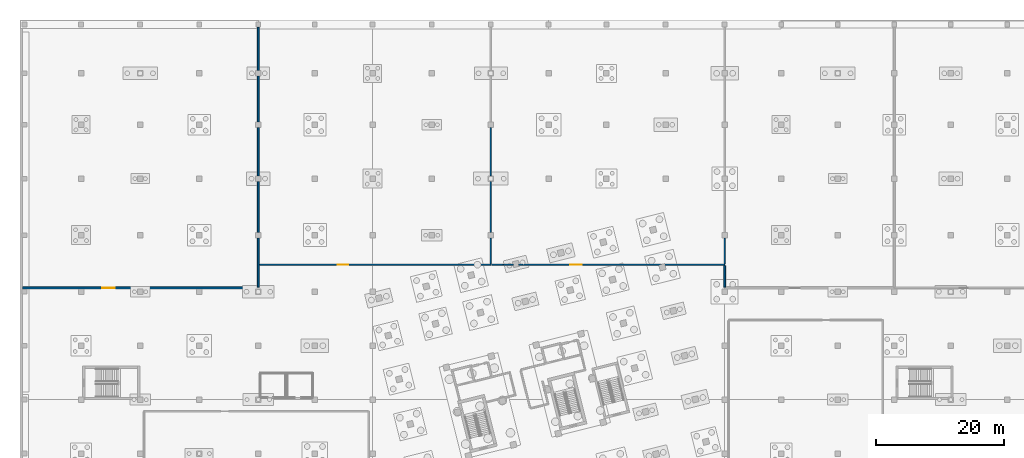
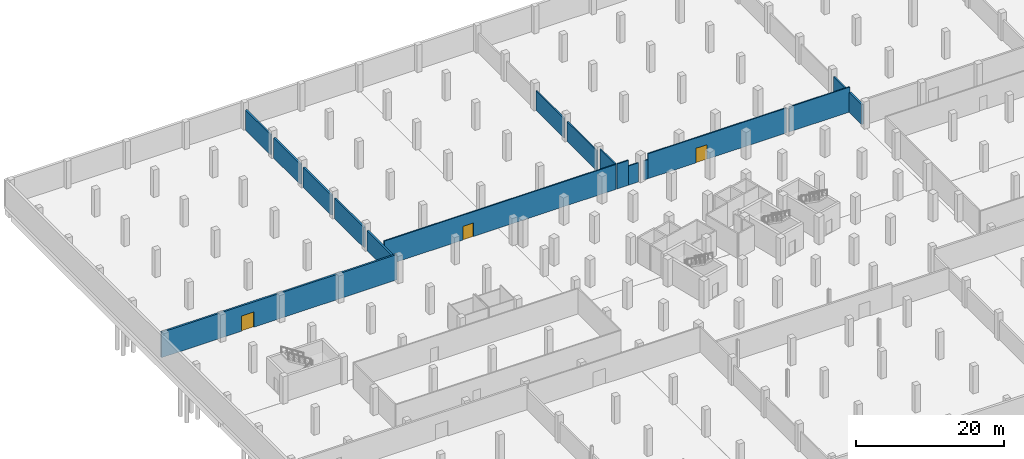
# One storey, part 20 of 29: 17 walls, 3 doors, 3 openings.
"""IFC4 building model written with IfcOpenShell, lengths in metres."""

from ifc_helpers import new_model, si_unit, direction, frame, frame_2d, origin, place, context, subcontext, project, spatial, rectangle, extrude, material, layer, layer_set, type_object, element, fill, save


model = new_model("IFC4")

# Units and contexts
model_context = context("Model", 3, precision=1e-05, world=origin(), true_north=direction((0.0, 1.0)))
body_context = subcontext(model_context, "Body", "Model", "MODEL_VIEW")
ifc_project = project(units=[si_unit("LENGTHUNIT", "METRE"), si_unit("AREAUNIT", "SQUARE_METRE"), si_unit("VOLUMEUNIT", "CUBIC_METRE"), si_unit("PLANEANGLEUNIT", "RADIAN"), si_unit("MASSUNIT", "GRAM", prefix="KILO")], contexts=[model_context])

# Site, building, storey
site_placement = place(None, origin())
site = spatial("IfcSite", under=ifc_project, at=site_placement, CompositionType="ELEMENT")
building_placement = place(site_placement, origin())
building = spatial("IfcBuilding", under=site, at=building_placement, Name="Meriwether Solvik Hall", CompositionType="ELEMENT")
storey_placement = place(building_placement, frame((0.0, 0.0, -9.0)))
storey = spatial("IfcBuildingStorey", under=building, at=storey_placement, Name="B02", CompositionType="ELEMENT", Elevation=-9.0)

# Wall, opening, door
ifc_material_1 = material(Name="Grouted Concrete Masonry Unit Block", Category="masonry")
ifc_layer_1 = layer(ifc_material_1, 0.18994140625)
ifc_layer_set_1 = layer_set([ifc_layer_1], Name="Grouted Concrete Masonry Unit Block")
wall_type_1 = type_object("IfcWallType", Name="WALL-CMU-190", PredefinedType="STANDARD", material=ifc_layer_set_1)
wall_1_placement = place(storey_placement, frame((41.719970703125, 79.39990234375, 0.0), z_axis=(0.0, 0.0, 1.0), x_axis=(1.0, 0.0, 0.0)))
wall_1 = element("IfcWall", 1, at=wall_1_placement, inside=storey, type_object=wall_type_1, Name="B02 Interior Partition grey_wt_s", PredefinedType="STANDARD", context=body_context, shape_type="SweptSolid", body=[
    extrude(rectangle(XDim=36.080078125, YDim=0.18994140625, at=frame_2d((18.0400390625, 0.0))), origin(), (0.0, 0.0, 1.0), 4.10009765625),
])
opening_1_placement = place(wall_1_placement, frame((12.25341796875, 0.0, 0.0)))
opening_1 = element("IfcOpeningElement", 2, at=opening_1_placement, cuts=wall_1, Name="Opening D-144", PredefinedType="OPENING", context=body_context, shape_type="SweptSolid", body=[
    extrude(rectangle(XDim=1.60009765625, YDim=2.25, at=frame_2d((0.800048828125, 1.125))), frame((0.0, 0.10693359375, 0.0), z_axis=(0.0, -1.0, 0.0), x_axis=(1.0, 0.0, 0.0)), (0.0, 0.0, 1.0), 0.2138671875),
])
ifc_material_2 = material(Name="Steel A36 Galvanised", Category="steel")
door_type_1 = type_object("IfcDoorType", Name="DR-FD60-1600", OperationType="DOUBLE_DOOR_SINGLE_SWING", PredefinedType="DOOR", material=ifc_material_2)
door_1_placement = place(opening_1_placement, origin())
door_1 = element("IfcDoor", 3, at=door_1_placement, inside=storey, type_object=door_type_1, Name="Greywater and Rainwater Treatment Plant Door", OperationType="DOUBLE_DOOR_SINGLE_SWING", OverallHeight=2.25, OverallWidth=1.60009765625, PredefinedType="DOOR", context=body_context, shape_type="SweptSolid", body=[
    extrude(rectangle(XDim=1.60009765625, YDim=2.25, at=frame_2d((0.800048828125, 1.125))), frame((0.0, 0.02490234375, 0.0), z_axis=(0.0, -1.0, 0.0), x_axis=(1.0, 0.0, 0.0)), (0.0, 0.0, 1.0), 0.050048828125),
])
fill(opening_1, door_1)

# Walls
wall_2_placement = place(storey_placement, frame((77.800048828125, 79.52001953125, 0.0), z_axis=(0.0, 0.0, 1.0), x_axis=(0.0, 1.0, 0.0)))
element("IfcWall", 4, at=wall_2_placement, inside=storey, type_object=wall_type_1, Name="B02 Interior Partition grey_wt_e", PredefinedType="STANDARD", context=body_context, shape_type="SweptSolid", body=[
    extrude(rectangle(XDim=4.0400390625, YDim=0.18994140625, at=frame_2d((2.02001953125, 0.0))), origin(), (0.0, 0.0, 1.0), 4.10009765625),
])
wall_3_placement = place(storey_placement, frame((77.800048828125, 84.43994140625, 0.0), z_axis=(0.0, 0.0, 1.0), x_axis=(0.0, 1.0, 0.0)))
element("IfcWall", 5, at=wall_3_placement, inside=storey, type_object=wall_type_1, Name="B02 Interior Partition grey_wt_e_s2", PredefinedType="STANDARD", context=body_context, shape_type="SweptSolid", body=[
    extrude(rectangle(XDim=7.920166015625, YDim=0.18994140625, at=frame_2d((3.9599609375, 0.0))), origin(), (0.0, 0.0, 1.0), 3.25),
])
wall_4_placement = place(storey_placement, frame((77.800048828125, 93.239990234375, 0.0), z_axis=(0.0, 0.0, 1.0), x_axis=(0.0, 1.0, 0.0)))
element("IfcWall", 6, at=wall_4_placement, inside=storey, type_object=wall_type_1, Name="B02 Interior Partition grey_wt_e_s3", PredefinedType="STANDARD", context=body_context, shape_type="SweptSolid", body=[
    extrude(rectangle(XDim=7.52001953125, YDim=0.18994140625, at=frame_2d((3.760009765625, 0.0))), origin(), (0.0, 0.0, 1.0), 3.25),
])
wall_5_placement = place(storey_placement, frame((77.919921875, 79.39990234375, 0.0), z_axis=(0.0, 0.0, 1.0), x_axis=(1.0, 0.0, 0.0)))
element("IfcWall", 7, at=wall_5_placement, inside=storey, type_object=wall_type_1, Name="B02 Interior Partition mep_stg_s", PredefinedType="STANDARD", context=body_context, shape_type="SweptSolid", body=[
    extrude(rectangle(XDim=1.8330078125, YDim=0.18994140625, at=frame_2d((0.91650390625, 0.0))), origin(), (0.0, 0.0, 1.0), 4.10009765625),
])
wall_6_placement = place(storey_placement, frame((79.7529296875, 79.39990234375, 0.0), z_axis=(0.0, 0.0, 1.0), x_axis=(1.0, 0.0, 0.0)))
element("IfcWall", 8, at=wall_6_placement, inside=storey, type_object=wall_type_1, Name="B02 Interior Partition mep_stg_s_s2", PredefinedType="STANDARD", context=body_context, shape_type="SweptSolid", body=[
    extrude(rectangle(XDim=1.544677734375, YDim=0.18994140625, at=frame_2d((0.7724609375, 0.0))), origin(), (0.0, 0.0, 1.0), 3.14990234375),
])
wall_7_placement = place(storey_placement, frame((82.144775390625, 79.39990234375, 0.0), z_axis=(0.0, 0.0, 1.0), x_axis=(1.0, 0.0, 0.0)))
element("IfcWall", 9, at=wall_7_placement, inside=storey, type_object=wall_type_1, Name="B02 Interior Partition mep_stg_s_s3", PredefinedType="STANDARD", context=body_context, shape_type="SweptSolid", body=[
    extrude(rectangle(XDim=0.6435546875, YDim=0.18994140625, at=frame_2d((0.32177734375, 0.0))), origin(), (0.0, 0.0, 1.0), 3.14990234375),
])

# Wall, opening, door
wall_8_placement = place(storey_placement, frame((82.788330078125, 79.39990234375, 0.0), z_axis=(0.0, 0.0, 1.0), x_axis=(1.0, 0.0, 0.0)))
wall_8 = element("IfcWall", 10, at=wall_8_placement, inside=storey, type_object=wall_type_1, Name="B02 Interior Partition mep_stg_s_s4", PredefinedType="STANDARD", context=body_context, shape_type="SweptSolid", body=[
    extrude(rectangle(XDim=21.5263671875, YDim=0.18994140625, at=frame_2d((10.76318359375, 0.0))), origin(), (0.0, 0.0, 1.0), 4.10009765625),
])
opening_2_placement = place(wall_8_placement, frame((7.40283203125, 0.0, 0.0)))
opening_2 = element("IfcOpeningElement", 11, at=opening_2_placement, cuts=wall_8, Name="Opening D-159", PredefinedType="OPENING", context=body_context, shape_type="SweptSolid", body=[
    extrude(rectangle(XDim=1.75, YDim=2.39990234375, at=frame_2d((0.875, 1.199951171875))), frame((0.0, 0.10693359375, 0.0), z_axis=(0.0, -1.0, 0.0), x_axis=(1.0, 0.0, 0.0)), (0.0, 0.0, 1.0), 0.2138671875),
])
ifc_material_3 = material(Name="Steel A36 Galvanised", Category="steel")
door_type_2 = type_object("IfcDoorType", Name="DR-FD90-1750", OperationType="DOUBLE_DOOR_SINGLE_SWING", PredefinedType="DOOR", material=ifc_material_3)
door_2_placement = place(opening_2_placement, origin())
door_2 = element("IfcDoor", 12, at=door_2_placement, inside=storey, type_object=door_type_2, Name="Mechanical Equipment Staging Plant Door", OperationType="DOUBLE_DOOR_SINGLE_SWING", OverallHeight=2.39990234375, OverallWidth=1.75, PredefinedType="DOOR", context=body_context, shape_type="SweptSolid", body=[
    extrude(rectangle(XDim=1.75, YDim=2.39990234375, at=frame_2d((0.875, 1.199951171875))), frame((0.0, 0.02490234375, 0.0), z_axis=(0.0, -1.0, 0.0), x_axis=(1.0, 0.0, 0.0)), (0.0, 0.0, 1.0), 0.050048828125),
])
fill(opening_2, door_2)

# Walls
wall_9_placement = place(storey_placement, frame((104.723876953125, 79.39990234375, 0.0), z_axis=(0.0, 0.0, 1.0), x_axis=(1.0, 0.0, 0.0)))
element("IfcWall", 13, at=wall_9_placement, inside=storey, type_object=wall_type_1, Name="B02 Interior Partition mep_stg_s_s5", PredefinedType="STANDARD", context=body_context, shape_type="SweptSolid", body=[
    extrude(rectangle(XDim=9.47607421875, YDim=0.18994140625, at=frame_2d((4.738037109375, 0.0))), origin(), (0.0, 0.0, 1.0), 4.10009765625),
])
wall_10_placement = place(storey_placement, frame((114.199951171875, 79.52001953125, 0.0), z_axis=(0.0, 0.0, 1.0), x_axis=(0.0, 1.0, 0.0)))
element("IfcWall", 14, at=wall_10_placement, inside=storey, type_object=wall_type_1, Name="B02 Interior Partition mep_stg_e", PredefinedType="STANDARD", context=body_context, shape_type="SweptSolid", body=[
    extrude(rectangle(XDim=4.0400390625, YDim=0.18994140625, at=frame_2d((2.02001953125, 0.0))), origin(), (0.0, 0.0, 1.0), 3.25),
])

# Wall, opening, door
ifc_material_4 = material(Name="Concrete C35/45", Category="concrete")
ifc_layer_2 = layer(ifc_material_4, 0.280029296875)
ifc_layer_set_2 = layer_set([ifc_layer_2], Name="Concrete C35/45")
wall_type_2 = type_object("IfcWallType", Name="WALL-PLANT-280", PredefinedType="STANDARD", material=ifc_layer_set_2)
wall_11_placement = place(storey_placement, frame((4.919921875, 75.800048828125, 0.0), z_axis=(0.0, 0.0, 1.0), x_axis=(1.0, 0.0, 0.0)))
wall_11 = element("IfcWall", 15, at=wall_11_placement, inside=storey, type_object=wall_type_2, Name="B02 Interior Partition geo_hp_s", PredefinedType="STANDARD", context=body_context, shape_type="SweptSolid", body=[
    extrude(rectangle(XDim=36.68017578125, YDim=0.280029296875, at=frame_2d((18.340087890625, 0.0))), origin(), (0.0, 0.0, 1.0), 4.169921875),
])
opening_3_placement = place(wall_11_placement, frame((12.41943359375, 0.0, 0.0)))
opening_3 = element("IfcOpeningElement", 16, at=opening_3_placement, cuts=wall_11, Name="Opening D-116", PredefinedType="OPENING", context=body_context, shape_type="SweptSolid", body=[
    extrude(rectangle(XDim=1.949951171875, YDim=2.5, at=frame_2d((0.97509765625, 1.25))), frame((0.0, 0.15185546875, 0.0), z_axis=(0.0, -1.0, 0.0), x_axis=(1.0, 0.0, 0.0)), (0.0, 0.0, 1.0), 0.303955078125),
])
ifc_material_5 = material(Name="Steel A36 Galvanised", Category="steel")
door_type_3 = type_object("IfcDoorType", Name="DR-FD90-1950", OperationType="DOUBLE_DOOR_SINGLE_SWING", PredefinedType="DOOR", material=ifc_material_5)
door_3_placement = place(opening_3_placement, origin())
door_3 = element("IfcDoor", 17, at=door_3_placement, inside=storey, type_object=door_type_3, Name="Geothermal Heat Pump Plant Door", OperationType="DOUBLE_DOOR_SINGLE_SWING", OverallHeight=2.5, OverallWidth=1.949951171875, PredefinedType="DOOR", context=body_context, shape_type="SweptSolid", body=[
    extrude(rectangle(XDim=1.949951171875, YDim=2.5, at=frame_2d((0.97509765625, 1.25))), frame((0.0, 0.02490234375, 0.0), z_axis=(0.0, -1.0, 0.0), x_axis=(1.0, 0.0, 0.0)), (0.0, 0.0, 1.0), 0.050048828125),
])
fill(opening_3, door_3)

# Walls
wall_12_placement = place(storey_placement, frame((41.60009765625, 75.919921875, 0.0), z_axis=(0.0, 0.0, 1.0), x_axis=(0.0, 1.0, 0.0)))
element("IfcWall", 18, at=wall_12_placement, inside=storey, type_object=wall_type_2, Name="B02 Interior Partition geo_hp_e", PredefinedType="STANDARD", context=body_context, shape_type="SweptSolid", body=[
    extrude(rectangle(XDim=7.64013671875, YDim=0.280029296875, at=frame_2d((3.820068359375, 0.0))), origin(), (0.0, 0.0, 1.0), 3.320068359375),
])
wall_13_placement = place(storey_placement, frame((41.60009765625, 84.43994140625, 0.0), z_axis=(0.0, 0.0, 1.0), x_axis=(0.0, 1.0, 0.0)))
element("IfcWall", 19, at=wall_13_placement, inside=storey, type_object=wall_type_2, Name="B02 Interior Partition geo_hp_e_s2", PredefinedType="STANDARD", context=body_context, shape_type="SweptSolid", body=[
    extrude(rectangle(XDim=7.920166015625, YDim=0.280029296875, at=frame_2d((3.9599609375, 0.0))), origin(), (0.0, 0.0, 1.0), 3.320068359375),
])
wall_14_placement = place(storey_placement, frame((41.60009765625, 93.239990234375, 0.0), z_axis=(0.0, 0.0, 1.0), x_axis=(0.0, 1.0, 0.0)))
element("IfcWall", 20, at=wall_14_placement, inside=storey, type_object=wall_type_2, Name="B02 Interior Partition geo_hp_e_s3", PredefinedType="STANDARD", context=body_context, shape_type="SweptSolid", body=[
    extrude(rectangle(XDim=7.52001953125, YDim=0.280029296875, at=frame_2d((3.760009765625, 0.0))), origin(), (0.0, 0.0, 1.0), 3.320068359375),
])
wall_15_placement = place(storey_placement, frame((41.60009765625, 101.639892578125, 0.0), z_axis=(0.0, 0.0, 1.0), x_axis=(0.0, 1.0, 0.0)))
element("IfcWall", 21, at=wall_15_placement, inside=storey, type_object=wall_type_2, Name="B02 Interior Partition geo_hp_e_s4", PredefinedType="STANDARD", context=body_context, shape_type="SweptSolid", body=[
    extrude(rectangle(XDim=7.1201171875, YDim=0.280029296875, at=frame_2d((3.56005859375, 0.0))), origin(), (0.0, 0.0, 1.0), 3.320068359375),
])
wall_16_placement = place(storey_placement, frame((41.60009765625, 109.639892578125, 0.0), z_axis=(0.0, 0.0, 1.0), x_axis=(0.0, 1.0, 0.0)))
element("IfcWall", 22, at=wall_16_placement, inside=storey, type_object=wall_type_2, Name="B02 Interior Partition geo_hp_e_s5", PredefinedType="STANDARD", context=body_context, shape_type="SweptSolid", body=[
    extrude(rectangle(XDim=6.72021484375, YDim=0.280029296875, at=frame_2d((3.360107421875, 0.0))), origin(), (0.0, 0.0, 1.0), 3.320068359375),
])
wall_17_placement = place(storey_placement, frame((114.199951171875, 79.280029296875, 0.0), z_axis=(0.0, 0.0, 1.0), x_axis=(0.0, -1.0, 0.0)))
element("IfcWall", 23, at=wall_17_placement, inside=storey, type_object=wall_type_2, Name="B02 Interior Partition tes_vlt_w", PredefinedType="STANDARD", context=body_context, shape_type="SweptSolid", body=[
    extrude(rectangle(XDim=3.360107421875, YDim=0.280029296875, at=frame_2d((1.68017578125, 0.0))), origin(), (0.0, 0.0, 1.0), 3.25),
])

save(model, "model.ifc")
